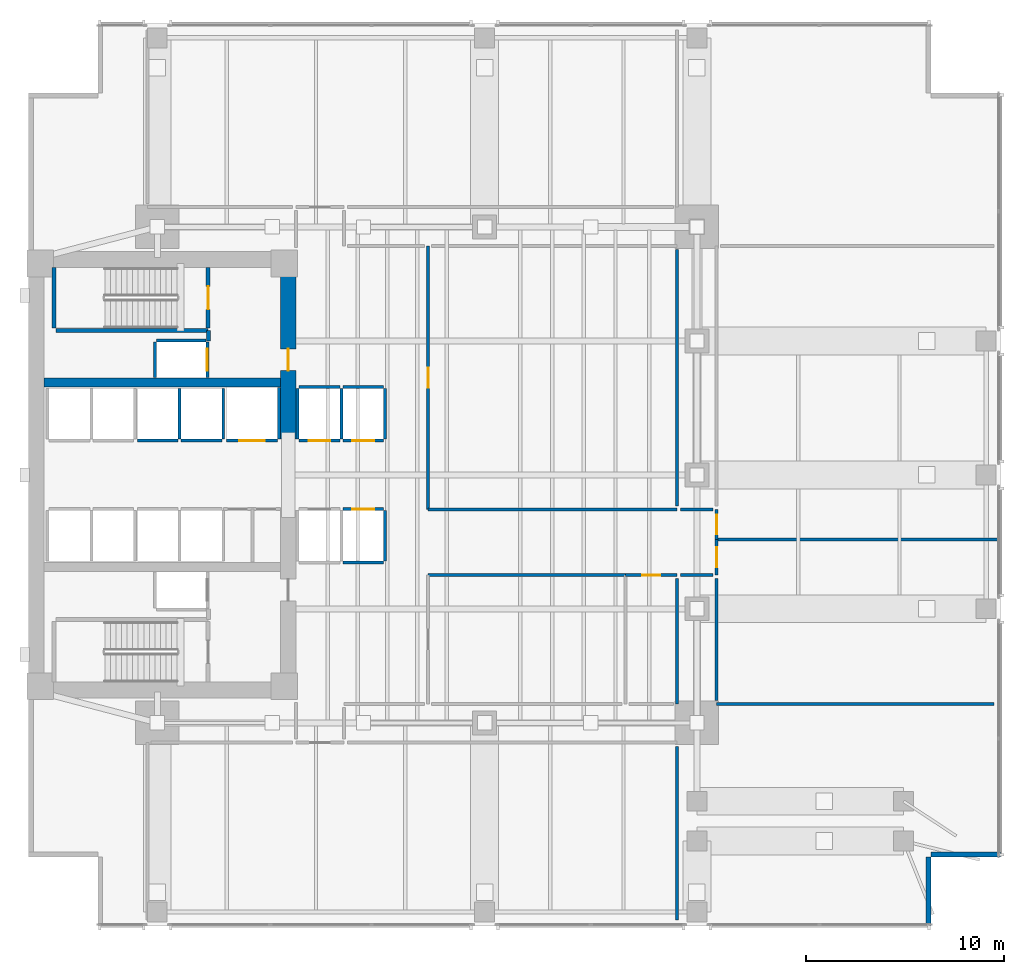
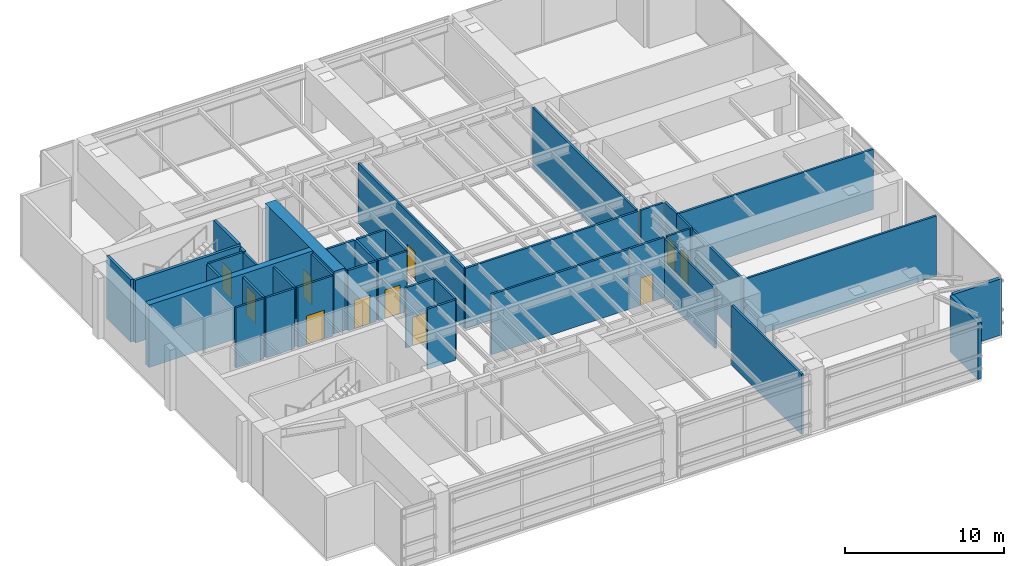
# One storey, part 9 of 14: 41 walls, 11 doors, 11 openings.
"""IFC4 building model written with IfcOpenShell, lengths in metres."""

from ifc_helpers import new_model, si_unit, direction, frame, frame_2d, origin, place, context, subcontext, project, spatial, rectangle, extrude, material, layer, layer_set, type_object, element, fill, save


model = new_model("IFC4")

# Units and contexts
model_context = context("Model", 3, precision=1e-05, world=origin(), true_north=direction((0.0, 1.0)))
body_context = subcontext(model_context, "Body", "Model", "MODEL_VIEW")
ifc_project = project(units=[si_unit("LENGTHUNIT", "METRE"), si_unit("AREAUNIT", "SQUARE_METRE"), si_unit("VOLUMEUNIT", "CUBIC_METRE"), si_unit("PLANEANGLEUNIT", "RADIAN"), si_unit("MASSUNIT", "GRAM", prefix="KILO")], contexts=[model_context])

# Site, building, storey
site_placement = place(None, origin())
site = spatial("IfcSite", under=ifc_project, at=site_placement, CompositionType="ELEMENT")
building_placement = place(site_placement, origin())
building = spatial("IfcBuilding", under=site, at=building_placement, Name="Kinhvarn Gate Tower", CompositionType="ELEMENT")
storey_placement = place(building_placement, frame((0.0, 0.0, 93.050048828125)))
storey = spatial("IfcBuildingStorey", under=building, at=storey_placement, Name="L24", CompositionType="ELEMENT", Elevation=93.050048828125)

# Wall
ifc_material_1 = material(Name="Concrete C50/60", Category="concrete")
ifc_layer_1 = layer(ifc_material_1, 0.449951171875)
ifc_layer_set_1 = layer_set([ifc_layer_1], Name="Concrete C50/60")
wall_type_1 = type_object("IfcWallType", Name="WL-CORE-450", PredefinedType="SHEAR", material=ifc_layer_set_1)
wall_1_placement = place(storey_placement, frame((5.300048828125, 29.89990234375, 0.0), z_axis=(0.0, 0.0, 1.0), x_axis=(1.0, 0.0, 0.0)))
element("IfcWall", 1, at=wall_1_placement, inside=storey, type_object=wall_type_1, Name="Core North Spine Shear Wall L24 450 mm", PredefinedType="SHEAR", context=body_context, shape_type="SweptSolid", body=[
    extrude(rectangle(XDim=11.89990234375, YDim=0.449951171875, at=frame_2d((5.949951171875, 0.0))), origin(), (0.0, 0.0, 1.0), 4.800048828125),
])

# Wall, opening, door
ifc_material_2 = material(Name="Concrete C70/85", Category="concrete")
ifc_layer_2 = layer(ifc_material_2, 0.800048828125)
ifc_layer_set_2 = layer_set([ifc_layer_2], Name="Concrete C70/85")
wall_type_2 = type_object("IfcWallType", Name="WL-CORE-800", PredefinedType="SHEAR", material=ifc_layer_set_2)
wall_2_placement = place(storey_placement, frame((17.60009765625, 27.050048828125, 0.0), z_axis=(0.0, 0.0, 1.0), x_axis=(0.0, 1.0, 0.0)))
wall_2 = element("IfcWall", 2, at=wall_2_placement, inside=storey, type_object=wall_type_2, Name="Core East-North Shear Pier L24 800 mm", PredefinedType="SHEAR", context=body_context, shape_type="SweptSolid", body=[
    extrude(rectangle(XDim=8.64990234375, YDim=0.800048828125, at=frame_2d((4.324951171875, 0.0))), origin(), (0.0, 0.0, 1.0), 4.800048828125),
])
opening_1_placement = place(wall_2_placement, frame((3.449951171875, 0.0, 0.0)))
opening_1 = element("IfcOpeningElement", 3, at=opening_1_placement, cuts=wall_2, Name="Opening FD-02", PredefinedType="OPENING", context=body_context, shape_type="SweptSolid", body=[
    extrude(rectangle(XDim=1.10009765625, YDim=2.14990234375, at=frame_2d((0.550048828125, 1.074951171875))), frame((0.0, 0.41015625, 0.0), z_axis=(0.0, -1.0, 0.0), x_axis=(1.0, 0.0, 0.0)), (0.0, 0.0, 1.0), 0.820068359375),
])
ifc_material_3 = material(Name="Anodised aluminium AW-6063", Category="aluminium")
door_type_1 = type_object("IfcDoorType", Name="DR-FD-1100", OperationType="NOTDEFINED", PredefinedType="DOOR", material=ifc_material_3)
door_1_placement = place(opening_1_placement, origin())
door_1 = element("IfcDoor", 4, at=door_1_placement, inside=storey, type_object=door_type_1, Name="Firefighting Lobby Core Door (L24)", OperationType="SINGLE_SWING_LEFT", OverallHeight=2.14990234375, OverallWidth=1.10009765625, PredefinedType="DOOR", context=body_context, shape_type="SweptSolid", body=[
    extrude(rectangle(XDim=1.10009765625, YDim=2.14990234375, at=frame_2d((0.550048828125, 1.074951171875))), frame((0.0, 0.02490234375, 0.0), z_axis=(0.0, -1.0, 0.0), x_axis=(1.0, 0.0, 0.0)), (0.0, 0.0, 1.0), 0.050048828125),
])
fill(opening_1, door_1)

# Walls
ifc_material_4 = material(Name="Fired architectural terracotta", Category="masonry")
ifc_layer_3 = layer(ifc_material_4, 0.25)
ifc_layer_set_3 = layer_set([ifc_layer_3], Name="Fired architectural terracotta")
wall_type_3 = type_object("IfcWallType", Name="WL-EXT-250", PredefinedType="SOLIDWALL", material=ifc_layer_set_3)
for number, where, z_axis, x_axis, name in (
    (5, (49.875, 2.5, 0.0), (0.0, 0.0, 1.0), (0.0, 1.0, 0.0), "Exterior Solidwall Wall EW-250 (L24 SE-Notch-1)"),
    (6, (50.0, 6.125, 0.0), (0.0, 0.0, 1.0), (1.0, 0.0, 0.0), "Exterior Solidwall Wall EW-250 (L24 SE-Notch-2)"),
):
    element("IfcWall", number, at=place(storey_placement, frame(where, z_axis=z_axis, x_axis=x_axis)), inside=storey, type_object=wall_type_3, Name=name, PredefinedType="SOLIDWALL", context=body_context, shape_type="SweptSolid", body=[
        extrude(rectangle(XDim=3.5, YDim=0.25, at=frame_2d((1.75, 0.0))), origin(), (0.0, 0.0, 1.0), 4.320068359375),
    ])

# Wall, opening, door
ifc_material_5 = material(Name="Gypsum acoustic partition board")
ifc_layer_4 = layer(ifc_material_5, 0.14990234375)
ifc_layer_set_4 = layer_set([ifc_layer_4], Name="Gypsum acoustic partition board")
wall_type_4 = type_object("IfcWallType", Name="WL-PLM-150F", PredefinedType="PLUMBINGWALL", material=ifc_layer_set_4)
wall_3_placement = place(storey_placement, frame((34.60009765625, 20.199951171875, 0.0), z_axis=(0.0, 0.0, 1.0), x_axis=(1.0, 0.0, 0.0)))
wall_3 = element("IfcWall", 7, at=wall_3_placement, inside=storey, type_object=wall_type_4, Name="Interior Partition PLW-150F (L24)", PredefinedType="PLUMBINGWALL", context=body_context, shape_type="SweptSolid", body=[
    extrude(rectangle(XDim=2.599853515625, YDim=0.14990234375, at=frame_2d((1.2998046875, 0.0))), origin(), (0.0, 0.0, 1.0), 4.619873046875),
])
opening_2_placement = place(wall_3_placement, frame((0.85009765625, 0.0, 0.0)))
opening_2 = element("IfcOpeningElement", 8, at=opening_2_placement, cuts=wall_3, Name="Opening FD-04", PredefinedType="OPENING", context=body_context, shape_type="SweptSolid", body=[
    extrude(rectangle(XDim=0.89990234375, YDim=2.10009765625, at=frame_2d((0.449951171875, 1.050048828125))), frame((0.0, 0.0849609375, 0.0), z_axis=(0.0, -1.0, 0.0), x_axis=(1.0, 0.0, 0.0)), (0.0, 0.0, 1.0), 0.169921875),
])
door_type_2 = type_object("IfcDoorType", Name="DR-FD-900", OperationType="NOTDEFINED", PredefinedType="DOOR", material=ifc_material_3)
door_2_placement = place(opening_2_placement, origin())
door_2 = element("IfcDoor", 9, at=door_2_placement, inside=storey, type_object=door_type_2, Name="Rated Riser & Service Closet Fire Door 900x2100 mm (L24)", OperationType="SINGLE_SWING_LEFT", OverallHeight=2.10009765625, OverallWidth=0.89990234375, PredefinedType="DOOR", context=body_context, shape_type="SweptSolid", body=[
    extrude(rectangle(XDim=0.89990234375, YDim=2.10009765625, at=frame_2d((0.449951171875, 1.050048828125))), frame((0.0, 0.02490234375, 0.0), z_axis=(0.0, -1.0, 0.0), x_axis=(1.0, 0.0, 0.0)), (0.0, 0.0, 1.0), 0.050048828125),
])
fill(opening_2, door_2)

ifc_layer_5 = layer(ifc_material_5, 0.14990234375)
ifc_layer_set_5 = layer_set([ifc_layer_5], Name="Gypsum acoustic partition board")
wall_type_5 = type_object("IfcWallType", Name="WL-PRT-150F", PredefinedType="PARTITIONING", material=ifc_layer_set_5)
wall_4_placement = place(storey_placement, frame((24.64990234375, 23.5, 0.0), z_axis=(0.0, 0.0, 1.0), x_axis=(0.0, 1.0, 0.0)))
wall_4 = element("IfcWall", 10, at=wall_4_placement, inside=storey, type_object=wall_type_5, Name="Interior Partition PW-150F (L24)", PredefinedType="PARTITIONING", context=body_context, shape_type="SweptSolid", body=[
    extrude(rectangle(XDim=13.300048828125, YDim=0.14990234375, at=frame_2d((6.64990234375, 0.0))), origin(), (0.0, 0.0, 1.0), 4.619873046875),
])
opening_3_placement = place(wall_4_placement, frame((6.14990234375, 0.0, 0.0)))
opening_3 = element("IfcOpeningElement", 11, at=opening_3_placement, cuts=wall_4, Name="Opening FD-03", PredefinedType="OPENING", context=body_context, shape_type="SweptSolid", body=[
    extrude(rectangle(XDim=1.0, YDim=2.14990234375, at=frame_2d((0.5, 1.074951171875))), frame((0.0, 0.0849609375, 0.0), z_axis=(0.0, -1.0, 0.0), x_axis=(1.0, 0.0, 0.0)), (0.0, 0.0, 1.0), 0.169921875),
])
door_type_3 = type_object("IfcDoorType", Name="DR-FD-1000", OperationType="NOTDEFINED", PredefinedType="DOOR", material=ifc_material_3)
door_3_placement = place(opening_3_placement, origin())
door_3 = element("IfcDoor", 12, at=door_3_placement, inside=storey, type_object=door_type_3, Name="Rated Plant & Corridor Fire Door 1000x2150 mm (L24)", OperationType="SINGLE_SWING_RIGHT", OverallHeight=2.14990234375, OverallWidth=1.0, PredefinedType="DOOR", context=body_context, shape_type="SweptSolid", body=[
    extrude(rectangle(XDim=1.0, YDim=2.14990234375, at=frame_2d((0.5, 1.074951171875))), frame((0.0, 0.02490234375, 0.0), z_axis=(0.0, -1.0, 0.0), x_axis=(1.0, 0.0, 0.0)), (0.0, 0.0, 1.0), 0.050048828125),
])
fill(opening_3, door_3)

# Walls
wall_5_placement = place(storey_placement, frame((24.64990234375, 20.199951171875, 0.0), z_axis=(0.0, 0.0, 1.0), x_axis=(1.0, 0.0, 0.0)))
element("IfcWall", 13, at=wall_5_placement, inside=storey, type_object=wall_type_5, Name="Interior Partition PW-150F (L24)", PredefinedType="PARTITIONING", context=body_context, shape_type="SweptSolid", body=[
    extrude(rectangle(XDim=9.9501953125, YDim=0.14990234375, at=frame_2d((4.97509765625, 0.0))), origin(), (0.0, 0.0, 1.0), 4.619873046875),
])
wall_6_placement = place(storey_placement, frame((24.64990234375, 23.5, 0.0), z_axis=(0.0, 0.0, 1.0), x_axis=(1.0, 0.0, 0.0)))
element("IfcWall", 14, at=wall_6_placement, inside=storey, type_object=wall_type_5, Name="Interior Partition PW-150F (L24)", PredefinedType="PARTITIONING", context=body_context, shape_type="SweptSolid", body=[
    extrude(rectangle(XDim=12.550048828125, YDim=0.14990234375, at=frame_2d((6.27490234375, 0.0))), origin(), (0.0, 0.0, 1.0), 4.619873046875),
])

# Wall, opening, door
wall_7_placement = place(storey_placement, frame((39.199951171875, 20.199951171875, 0.0), z_axis=(0.0, 0.0, 1.0), x_axis=(0.0, 1.0, 0.0)))
wall_7 = element("IfcWall", 15, at=wall_7_placement, inside=storey, type_object=wall_type_5, Name="Interior Partition PW-150F (L24)", PredefinedType="PARTITIONING", context=body_context, shape_type="SweptSolid", body=[
    extrude(rectangle(XDim=1.800048828125, YDim=0.14990234375, at=frame_2d((0.89990234375, 0.0))), origin(), (0.0, 0.0, 1.0), 4.619873046875),
])
opening_4_placement = place(wall_7_placement, frame((0.39990234375, 0.0, 0.0)))
opening_4 = element("IfcOpeningElement", 16, at=opening_4_placement, cuts=wall_7, Name="Opening FD-03", PredefinedType="OPENING", context=body_context, shape_type="SweptSolid", body=[
    extrude(rectangle(XDim=1.0, YDim=2.14990234375, at=frame_2d((0.5, 1.074951171875))), frame((0.0, 0.0849609375, 0.0), z_axis=(0.0, -1.0, 0.0), x_axis=(1.0, 0.0, 0.0)), (0.0, 0.0, 1.0), 0.169921875),
])
door_4_placement = place(opening_4_placement, origin())
door_4 = element("IfcDoor", 17, at=door_4_placement, inside=storey, type_object=door_type_3, Name="Rated Plant & Corridor Fire Door 1000x2150 mm (L24)", OperationType="SINGLE_SWING_RIGHT", OverallHeight=2.14990234375, OverallWidth=1.0, PredefinedType="DOOR", context=body_context, shape_type="SweptSolid", body=[
    extrude(rectangle(XDim=1.0, YDim=2.14990234375, at=frame_2d((0.5, 1.074951171875))), frame((0.0, 0.02490234375, 0.0), z_axis=(0.0, -1.0, 0.0), x_axis=(1.0, 0.0, 0.0)), (0.0, 0.0, 1.0), 0.050048828125),
])
fill(opening_4, door_4)

wall_8_placement = place(storey_placement, frame((39.199951171875, 22.0, 0.0), z_axis=(0.0, 0.0, 1.0), x_axis=(0.0, 1.0, 0.0)))
wall_8 = element("IfcWall", 18, at=wall_8_placement, inside=storey, type_object=wall_type_5, Name="Interior Partition PW-150F (L24)", PredefinedType="PARTITIONING", context=body_context, shape_type="SweptSolid", body=[
    extrude(rectangle(XDim=1.5, YDim=0.14990234375, at=frame_2d((0.75, 0.0))), origin(), (0.0, 0.0, 1.0), 4.619873046875),
])
opening_5_placement = place(wall_8_placement, frame((0.25, 0.0, 0.0)))
opening_5 = element("IfcOpeningElement", 19, at=opening_5_placement, cuts=wall_8, Name="Opening FD-03", PredefinedType="OPENING", context=body_context, shape_type="SweptSolid", body=[
    extrude(rectangle(XDim=1.0, YDim=2.14990234375, at=frame_2d((0.5, 1.074951171875))), frame((0.0, 0.0849609375, 0.0), z_axis=(0.0, -1.0, 0.0), x_axis=(1.0, 0.0, 0.0)), (0.0, 0.0, 1.0), 0.169921875),
])
door_5_placement = place(opening_5_placement, origin())
door_5 = element("IfcDoor", 20, at=door_5_placement, inside=storey, type_object=door_type_3, Name="Rated Plant & Corridor Fire Door 1000x2150 mm (L24)", OperationType="SINGLE_SWING_LEFT", OverallHeight=2.14990234375, OverallWidth=1.0, PredefinedType="DOOR", context=body_context, shape_type="SweptSolid", body=[
    extrude(rectangle(XDim=1.0, YDim=2.14990234375, at=frame_2d((0.5, 1.074951171875))), frame((0.0, 0.02490234375, 0.0), z_axis=(0.0, -1.0, 0.0), x_axis=(1.0, 0.0, 0.0)), (0.0, 0.0, 1.0), 0.050048828125),
])
fill(opening_5, door_5)

# Walls
wall_9_placement = place(storey_placement, frame((39.199951171875, 22.0, 0.0), z_axis=(0.0, 0.0, 1.0), x_axis=(1.0, 0.0, 0.0)))
element("IfcWall", 21, at=wall_9_placement, inside=storey, type_object=wall_type_5, Name="Interior Partition PW-150F (L24)", PredefinedType="PARTITIONING", context=body_context, shape_type="SweptSolid", body=[
    extrude(rectangle(XDim=14.179931640625, YDim=0.14990234375, at=frame_2d((7.08984375, 0.0))), origin(), (0.0, 0.0, 1.0), 4.619873046875),
])
wall_10_placement = place(storey_placement, frame((37.199951171875, 36.6201171875, 0.0), z_axis=(0.0, 0.0, 1.0), x_axis=(0.0, -1.0, 0.0)))
element("IfcWall", 22, at=wall_10_placement, inside=storey, type_object=wall_type_5, Name="Interior Partition PW-150F (L24)", PredefinedType="PARTITIONING", context=body_context, shape_type="SweptSolid", body=[
    extrude(rectangle(XDim=12.940185546875, YDim=0.14990234375, at=frame_2d((6.47021484375, 0.0))), origin(), (0.0, 0.0, 1.0), 4.619873046875),
])
wall_11_placement = place(storey_placement, frame((37.3798828125, 23.5, 0.0), z_axis=(0.0, 0.0, 1.0), x_axis=(1.0, 0.0, 0.0)))
element("IfcWall", 23, at=wall_11_placement, inside=storey, type_object=wall_type_5, Name="Interior Partition PW-150F (L24)", PredefinedType="PARTITIONING", context=body_context, shape_type="SweptSolid", body=[
    extrude(rectangle(XDim=1.64013671875, YDim=0.14990234375, at=frame_2d((0.820068359375, 0.0))), origin(), (0.0, 0.0, 1.0), 4.619873046875),
])
wall_12_placement = place(storey_placement, frame((53.179931640625, 13.699951171875, 0.0), z_axis=(0.0, 0.0, 1.0), x_axis=(-1.0, 0.0, 0.0)))
element("IfcWall", 24, at=wall_12_placement, inside=storey, type_object=wall_type_5, Name="Interior Partition PW-150F (L24)", PredefinedType="PARTITIONING", context=body_context, shape_type="SweptSolid", body=[
    extrude(rectangle(XDim=13.97998046875, YDim=0.14990234375, at=frame_2d((6.989990234375, 0.0))), origin(), (0.0, 0.0, 1.0), 4.619873046875),
])
wall_13_placement = place(storey_placement, frame((39.199951171875, 13.8798828125, 0.0), z_axis=(0.0, 0.0, 1.0), x_axis=(0.0, 1.0, 0.0)))
element("IfcWall", 25, at=wall_13_placement, inside=storey, type_object=wall_type_5, Name="Interior Partition PW-150F (L24)", PredefinedType="PARTITIONING", context=body_context, shape_type="SweptSolid", body=[
    extrude(rectangle(XDim=6.14013671875, YDim=0.14990234375, at=frame_2d((3.070068359375, 0.0))), origin(), (0.0, 0.0, 1.0), 4.619873046875),
])
wall_14_placement = place(storey_placement, frame((39.02001953125, 20.199951171875, 0.0), z_axis=(0.0, 0.0, 1.0), x_axis=(-1.0, 0.0, 0.0)))
element("IfcWall", 26, at=wall_14_placement, inside=storey, type_object=wall_type_5, Name="Interior Partition PW-150F (L24)", PredefinedType="PARTITIONING", context=body_context, shape_type="SweptSolid", body=[
    extrude(rectangle(XDim=1.64013671875, YDim=0.14990234375, at=frame_2d((0.820068359375, 0.0))), origin(), (0.0, 0.0, 1.0), 4.619873046875),
])
wall_15_placement = place(storey_placement, frame((37.199951171875, 20.02001953125, 0.0), z_axis=(0.0, 0.0, 1.0), x_axis=(0.0, -1.0, 0.0)))
element("IfcWall", 27, at=wall_15_placement, inside=storey, type_object=wall_type_5, Name="Interior Partition PW-150F (L24)", PredefinedType="PARTITIONING", context=body_context, shape_type="SweptSolid", body=[
    extrude(rectangle(XDim=6.320068359375, YDim=0.14990234375, at=frame_2d((3.16015625, 0.0))), origin(), (0.0, 0.0, 1.0), 4.619873046875),
])
wall_16_placement = place(storey_placement, frame((37.199951171875, 11.570068359375, 0.0), z_axis=(0.0, 0.0, 1.0), x_axis=(0.0, -1.0, 0.0)))
element("IfcWall", 28, at=wall_16_placement, inside=storey, type_object=wall_type_5, Name="Interior Partition PW-150F (L24)", PredefinedType="PARTITIONING", context=body_context, shape_type="SweptSolid", body=[
    extrude(rectangle(XDim=8.75, YDim=0.14990234375, at=frame_2d((4.375, 0.0))), origin(), (0.0, 0.0, 1.0), 4.619873046875),
])
ifc_layer_6 = layer(ifc_material_5, 0.199951171875)
ifc_layer_set_6 = layer_set([ifc_layer_6], Name="Gypsum acoustic partition board")
wall_type_6 = type_object("IfcWallType", Name="WL-PRT-200", PredefinedType="PARTITIONING", material=ifc_layer_set_6)
wall_17_placement = place(storey_placement, frame((13.580078125, 32.0, 0.0), z_axis=(0.0, 0.0, 1.0), x_axis=(0.0, 1.0, 0.0)))
element("IfcWall", 29, at=wall_17_placement, inside=storey, type_object=wall_type_6, Name="Interior Partition PW-200 (L24)", PredefinedType="PARTITIONING", context=body_context, shape_type="SweptSolid", body=[
    extrude(rectangle(XDim=0.5400390625, YDim=0.199951171875, at=frame_2d((0.27001953125, 0.0))), origin(), (0.0, 0.0, 1.0), 4.619873046875),
])
ifc_layer_7 = layer(ifc_material_5, 0.14990234375)
ifc_layer_set_7 = layer_set([ifc_layer_7], Name="Gypsum acoustic partition board")
wall_type_7 = type_object("IfcWallType", Name="WL-SHF-150", PredefinedType="PARTITIONING", material=ifc_layer_set_7)
wall_18_placement = place(storey_placement, frame((20.35009765625, 20.824951171875, 0.0), z_axis=(0.0, 0.0, 1.0), x_axis=(1.0, 0.0, 0.0)))
element("IfcWall", 30, at=wall_18_placement, inside=storey, type_object=wall_type_7, Name="Elevator PL-02 Hoistway Wall S (L24)", PredefinedType="PARTITIONING", context=body_context, shape_type="SweptSolid", body=[
    extrude(rectangle(XDim=2.0498046875, YDim=0.14990234375, at=frame_2d((1.02490234375, 0.0))), origin(), (0.0, 0.0, 1.0), 4.619873046875),
])

# Wall, opening, door
wall_19_placement = place(storey_placement, frame((20.35009765625, 23.52490234375, 0.0), z_axis=(0.0, 0.0, 1.0), x_axis=(1.0, 0.0, 0.0)))
wall_19 = element("IfcWall", 31, at=wall_19_placement, inside=storey, type_object=wall_type_7, Name="Elevator PL-02 Landing Wall (L24)", PredefinedType="PARTITIONING", context=body_context, shape_type="SweptSolid", body=[
    extrude(rectangle(XDim=2.0498046875, YDim=0.14990234375, at=frame_2d((1.02490234375, 0.0))), origin(), (0.0, 0.0, 1.0), 4.619873046875),
])
opening_6_placement = place(wall_19_placement, frame((0.47509765625, 0.0, 0.0)))
opening_6 = element("IfcOpeningElement", 32, at=opening_6_placement, cuts=wall_19, Name="Opening LD-01", PredefinedType="OPENING", context=body_context, shape_type="SweptSolid", body=[
    extrude(rectangle(XDim=1.10009765625, YDim=2.199951171875, at=frame_2d((0.550048828125, 1.10009765625))), frame((0.0, 0.0849609375, 0.0), z_axis=(0.0, -1.0, 0.0), x_axis=(1.0, 0.0, 0.0)), (0.0, 0.0, 1.0), 0.169921875),
])
door_type_4 = type_object("IfcDoorType", Name="DR-LND-PAS", OperationType="NOTDEFINED", PredefinedType="DOOR", material=ifc_material_3)
door_6_placement = place(opening_6_placement, origin())
door_6 = element("IfcDoor", 33, at=door_6_placement, inside=storey, type_object=door_type_4, Name="Elevator PL-02 Sliding Landing Door (L24)", OperationType="DOUBLE_DOOR_SLIDING", OverallHeight=2.199951171875, OverallWidth=1.10009765625, PredefinedType="DOOR", context=body_context, shape_type="SweptSolid", body=[
    extrude(rectangle(XDim=1.10009765625, YDim=2.199951171875, at=frame_2d((0.550048828125, 1.10009765625))), frame((0.0, 0.02490234375, 0.0), z_axis=(0.0, -1.0, 0.0), x_axis=(1.0, 0.0, 0.0)), (0.0, 0.0, 1.0), 0.050048828125),
])
fill(opening_6, door_6)

# Wall
wall_20_placement = place(storey_placement, frame((22.47509765625, 20.89990234375, 0.0), z_axis=(0.0, 0.0, 1.0), x_axis=(0.0, 1.0, 0.0)))
element("IfcWall", 34, at=wall_20_placement, inside=storey, type_object=wall_type_7, Name="Elevator PL-02 Hoistway Wall E (L24)", PredefinedType="PARTITIONING", context=body_context, shape_type="SweptSolid", body=[
    extrude(rectangle(XDim=2.550048828125, YDim=0.14990234375, at=frame_2d((1.27490234375, 0.0))), origin(), (0.0, 0.0, 1.0), 4.619873046875),
])

# Wall, opening, door
wall_21_placement = place(storey_placement, frame((18.14990234375, 26.97509765625, 0.0), z_axis=(0.0, 0.0, 1.0), x_axis=(1.0, 0.0, 0.0)))
wall_21 = element("IfcWall", 35, at=wall_21_placement, inside=storey, type_object=wall_type_7, Name="Elevator PL-03 Landing Wall (L24)", PredefinedType="PARTITIONING", context=body_context, shape_type="SweptSolid", body=[
    extrude(rectangle(XDim=2.050048828125, YDim=0.14990234375, at=frame_2d((1.02490234375, 0.0))), origin(), (0.0, 0.0, 1.0), 4.619873046875),
])
opening_7_placement = place(wall_21_placement, frame((0.47509765625, 0.0, 0.0)))
opening_7 = element("IfcOpeningElement", 36, at=opening_7_placement, cuts=wall_21, Name="Opening LD-01", PredefinedType="OPENING", context=body_context, shape_type="SweptSolid", body=[
    extrude(rectangle(XDim=1.10009765625, YDim=2.199951171875, at=frame_2d((0.550048828125, 1.10009765625))), frame((0.0, 0.0849609375, 0.0), z_axis=(0.0, -1.0, 0.0), x_axis=(1.0, 0.0, 0.0)), (0.0, 0.0, 1.0), 0.169921875),
])
door_7_placement = place(opening_7_placement, origin())
door_7 = element("IfcDoor", 37, at=door_7_placement, inside=storey, type_object=door_type_4, Name="Elevator PL-03 Sliding Landing Door (L24)", OperationType="DOUBLE_DOOR_SLIDING", OverallHeight=2.199951171875, OverallWidth=1.10009765625, PredefinedType="DOOR", context=body_context, shape_type="SweptSolid", body=[
    extrude(rectangle(XDim=1.10009765625, YDim=2.199951171875, at=frame_2d((0.550048828125, 1.10009765625))), frame((0.0, 0.02490234375, 0.0), z_axis=(0.0, -1.0, 0.0), x_axis=(1.0, 0.0, 0.0)), (0.0, 0.0, 1.0), 0.050048828125),
])
fill(opening_7, door_7)

# Walls
wall_22_placement = place(storey_placement, frame((18.14990234375, 29.675048828125, 0.0), z_axis=(0.0, 0.0, 1.0), x_axis=(1.0, 0.0, 0.0)))
element("IfcWall", 38, at=wall_22_placement, inside=storey, type_object=wall_type_7, Name="Elevator PL-03 Hoistway Wall N (L24)", PredefinedType="PARTITIONING", context=body_context, shape_type="SweptSolid", body=[
    extrude(rectangle(XDim=2.050048828125, YDim=0.14990234375, at=frame_2d((1.02490234375, 0.0))), origin(), (0.0, 0.0, 1.0), 4.619873046875),
])
for number, where, z_axis, x_axis, name in (
    (39, (18.074951171875, 27.050048828125, 0.0), (0.0, 0.0, 1.0), (0.0, 1.0, 0.0), "Elevator PL-03 Hoistway Wall W (L24)"),
    (40, (20.27490234375, 27.050048828125, 0.0), (0.0, 0.0, 1.0), (0.0, 1.0, 0.0), "Elevator PL-03 Hoistway Wall E (L24)"),
):
    element("IfcWall", number, at=place(storey_placement, frame(where, z_axis=z_axis, x_axis=x_axis)), inside=storey, type_object=wall_type_7, Name=name, PredefinedType="PARTITIONING", context=body_context, shape_type="SweptSolid", body=[
        extrude(rectangle(XDim=2.550048828125, YDim=0.14990234375, at=frame_2d((1.27490234375, 0.0))), origin(), (0.0, 0.0, 1.0), 4.619873046875),
    ])

# Wall, opening, door
wall_23_placement = place(storey_placement, frame((20.35009765625, 26.97509765625, 0.0), z_axis=(0.0, 0.0, 1.0), x_axis=(1.0, 0.0, 0.0)))
wall_23 = element("IfcWall", 41, at=wall_23_placement, inside=storey, type_object=wall_type_7, Name="Elevator PL-04 Landing Wall (L24)", PredefinedType="PARTITIONING", context=body_context, shape_type="SweptSolid", body=[
    extrude(rectangle(XDim=2.0498046875, YDim=0.14990234375, at=frame_2d((1.02490234375, 0.0))), origin(), (0.0, 0.0, 1.0), 4.619873046875),
])
opening_8_placement = place(wall_23_placement, frame((0.47509765625, 0.0, 0.0)))
opening_8 = element("IfcOpeningElement", 42, at=opening_8_placement, cuts=wall_23, Name="Opening LD-01", PredefinedType="OPENING", context=body_context, shape_type="SweptSolid", body=[
    extrude(rectangle(XDim=1.10009765625, YDim=2.199951171875, at=frame_2d((0.550048828125, 1.10009765625))), frame((0.0, 0.0849609375, 0.0), z_axis=(0.0, -1.0, 0.0), x_axis=(1.0, 0.0, 0.0)), (0.0, 0.0, 1.0), 0.169921875),
])
door_8_placement = place(opening_8_placement, origin())
door_8 = element("IfcDoor", 43, at=door_8_placement, inside=storey, type_object=door_type_4, Name="Elevator PL-04 Sliding Landing Door (L24)", OperationType="DOUBLE_DOOR_SLIDING", OverallHeight=2.199951171875, OverallWidth=1.10009765625, PredefinedType="DOOR", context=body_context, shape_type="SweptSolid", body=[
    extrude(rectangle(XDim=1.10009765625, YDim=2.199951171875, at=frame_2d((0.550048828125, 1.10009765625))), frame((0.0, 0.02490234375, 0.0), z_axis=(0.0, -1.0, 0.0), x_axis=(1.0, 0.0, 0.0)), (0.0, 0.0, 1.0), 0.050048828125),
])
fill(opening_8, door_8)

# Walls
wall_24_placement = place(storey_placement, frame((20.35009765625, 29.675048828125, 0.0), z_axis=(0.0, 0.0, 1.0), x_axis=(1.0, 0.0, 0.0)))
element("IfcWall", 44, at=wall_24_placement, inside=storey, type_object=wall_type_7, Name="Elevator PL-04 Hoistway Wall N (L24)", PredefinedType="PARTITIONING", context=body_context, shape_type="SweptSolid", body=[
    extrude(rectangle(XDim=2.0498046875, YDim=0.14990234375, at=frame_2d((1.02490234375, 0.0))), origin(), (0.0, 0.0, 1.0), 4.619873046875),
])
wall_25_placement = place(storey_placement, frame((22.47509765625, 27.050048828125, 0.0), z_axis=(0.0, 0.0, 1.0), x_axis=(0.0, 1.0, 0.0)))
element("IfcWall", 45, at=wall_25_placement, inside=storey, type_object=wall_type_7, Name="Elevator PL-04 Hoistway Wall E (L24)", PredefinedType="PARTITIONING", context=body_context, shape_type="SweptSolid", body=[
    extrude(rectangle(XDim=2.550048828125, YDim=0.14990234375, at=frame_2d((1.27490234375, 0.0))), origin(), (0.0, 0.0, 1.0), 4.619873046875),
])
wall_26_placement = place(storey_placement, frame((10.0, 26.97509765625, 0.0), z_axis=(0.0, 0.0, 1.0), x_axis=(1.0, 0.0, 0.0)))
element("IfcWall", 46, at=wall_26_placement, inside=storey, type_object=wall_type_7, Name="Elevator PH-11 Landing Wall (L24)", PredefinedType="PARTITIONING", context=body_context, shape_type="SweptSolid", body=[
    extrude(rectangle(XDim=2.050048828125, YDim=0.14990234375, at=frame_2d((1.02490234375, 0.0))), origin(), (0.0, 0.0, 1.0), 4.619873046875),
])
wall_27_placement = place(storey_placement, frame((12.125, 27.050048828125, 0.0), z_axis=(0.0, 0.0, 1.0), x_axis=(0.0, 1.0, 0.0)))
element("IfcWall", 47, at=wall_27_placement, inside=storey, type_object=wall_type_7, Name="Elevator PH-11 Hoistway Wall E (L24)", PredefinedType="PARTITIONING", context=body_context, shape_type="SweptSolid", body=[
    extrude(rectangle(XDim=2.550048828125, YDim=0.14990234375, at=frame_2d((1.27490234375, 0.0))), origin(), (0.0, 0.0, 1.0), 4.619873046875),
])
wall_28_placement = place(storey_placement, frame((12.199951171875, 26.97509765625, 0.0), z_axis=(0.0, 0.0, 1.0), x_axis=(1.0, 0.0, 0.0)))
element("IfcWall", 48, at=wall_28_placement, inside=storey, type_object=wall_type_7, Name="Elevator PH-12 Landing Wall (L24)", PredefinedType="PARTITIONING", context=body_context, shape_type="SweptSolid", body=[
    extrude(rectangle(XDim=2.050048828125, YDim=0.14990234375, at=frame_2d((1.02490234375, 0.0))), origin(), (0.0, 0.0, 1.0), 4.619873046875),
])
wall_29_placement = place(storey_placement, frame((14.324951171875, 27.050048828125, 0.0), z_axis=(0.0, 0.0, 1.0), x_axis=(0.0, 1.0, 0.0)))
element("IfcWall", 49, at=wall_29_placement, inside=storey, type_object=wall_type_7, Name="Elevator PH-12 Hoistway Wall E (L24)", PredefinedType="PARTITIONING", context=body_context, shape_type="SweptSolid", body=[
    extrude(rectangle(XDim=2.550048828125, YDim=0.14990234375, at=frame_2d((1.27490234375, 0.0))), origin(), (0.0, 0.0, 1.0), 4.619873046875),
])

# Wall, opening, door
wall_30_placement = place(storey_placement, frame((14.5, 26.97509765625, 0.0), z_axis=(0.0, 0.0, 1.0), x_axis=(1.0, 0.0, 0.0)))
wall_30 = element("IfcWall", 50, at=wall_30_placement, inside=storey, type_object=wall_type_7, Name="Elevator SV-01 Landing Wall (L24)", PredefinedType="PARTITIONING", context=body_context, shape_type="SweptSolid", body=[
    extrude(rectangle(XDim=2.550048828125, YDim=0.14990234375, at=frame_2d((1.27490234375, 0.0))), origin(), (0.0, 0.0, 1.0), 4.619873046875),
])
opening_9_placement = place(wall_30_placement, frame((0.625, 0.0, 0.0)))
opening_9 = element("IfcOpeningElement", 51, at=opening_9_placement, cuts=wall_30, Name="Opening LD-02", PredefinedType="OPENING", context=body_context, shape_type="SweptSolid", body=[
    extrude(rectangle(XDim=1.300048828125, YDim=2.199951171875, at=frame_2d((0.64990234375, 1.10009765625))), frame((0.0, 0.0849609375, 0.0), z_axis=(0.0, -1.0, 0.0), x_axis=(1.0, 0.0, 0.0)), (0.0, 0.0, 1.0), 0.169921875),
])
door_type_5 = type_object("IfcDoorType", Name="DR-LND-SRV", OperationType="NOTDEFINED", PredefinedType="DOOR", material=ifc_material_3)
door_9_placement = place(opening_9_placement, origin())
door_9 = element("IfcDoor", 52, at=door_9_placement, inside=storey, type_object=door_type_5, Name="Elevator SV-01 Sliding Landing Door (L24)", OperationType="DOUBLE_DOOR_SLIDING", OverallHeight=2.199951171875, OverallWidth=1.300048828125, PredefinedType="DOOR", context=body_context, shape_type="SweptSolid", body=[
    extrude(rectangle(XDim=1.300048828125, YDim=2.199951171875, at=frame_2d((0.64990234375, 1.10009765625))), frame((0.0, 0.02490234375, 0.0), z_axis=(0.0, -1.0, 0.0), x_axis=(1.0, 0.0, 0.0)), (0.0, 0.0, 1.0), 0.050048828125),
])
fill(opening_9, door_9)

# Walls
wall_31_placement = place(storey_placement, frame((17.125, 27.050048828125, 0.0), z_axis=(0.0, 0.0, 1.0), x_axis=(0.0, 1.0, 0.0)))
element("IfcWall", 53, at=wall_31_placement, inside=storey, type_object=wall_type_7, Name="Elevator SV-01 Hoistway Wall E (L24)", PredefinedType="PARTITIONING", context=body_context, shape_type="SweptSolid", body=[
    extrude(rectangle(XDim=2.599853515625, YDim=0.14990234375, at=frame_2d((1.2998046875, 0.0))), origin(), (0.0, 0.0, 1.0), 4.619873046875),
])
wall_32_placement = place(storey_placement, frame((10.949951171875, 32.02490234375, 0.0), z_axis=(0.0, 0.0, 1.0), x_axis=(1.0, 0.0, 0.0)))
element("IfcWall", 54, at=wall_32_placement, inside=storey, type_object=wall_type_7, Name="Elevator FF2 Hoistway Wall N (L24)", PredefinedType="PARTITIONING", context=body_context, shape_type="SweptSolid", body=[
    extrude(rectangle(XDim=2.5, YDim=0.14990234375, at=frame_2d((1.25, 0.0))), origin(), (0.0, 0.0, 1.0), 4.619873046875),
])
wall_33_placement = place(storey_placement, frame((10.875, 30.14990234375, 0.0), z_axis=(0.0, 0.0, 1.0), x_axis=(0.0, 1.0, 0.0)))
element("IfcWall", 55, at=wall_33_placement, inside=storey, type_object=wall_type_7, Name="Elevator FF2 Hoistway Wall W (L24)", PredefinedType="PARTITIONING", context=body_context, shape_type="SweptSolid", body=[
    extrude(rectangle(XDim=1.800048828125, YDim=0.14990234375, at=frame_2d((0.89990234375, 0.0))), origin(), (0.0, 0.0, 1.0), 4.619873046875),
])

# Wall, opening, door
wall_34_placement = place(storey_placement, frame((13.52490234375, 30.14990234375, 0.0), z_axis=(0.0, 0.0, 1.0), x_axis=(0.0, 1.0, 0.0)))
wall_34 = element("IfcWall", 56, at=wall_34_placement, inside=storey, type_object=wall_type_7, Name="Elevator FF2 Landing Wall (L24)", PredefinedType="PARTITIONING", context=body_context, shape_type="SweptSolid", body=[
    extrude(rectangle(XDim=1.800048828125, YDim=0.14990234375, at=frame_2d((0.89990234375, 0.0))), origin(), (0.0, 0.0, 1.0), 4.619873046875),
])
opening_10_placement = place(wall_34_placement, frame((0.35009765625, 0.0, 0.0)))
opening_10 = element("IfcOpeningElement", 57, at=opening_10_placement, cuts=wall_34, Name="Opening LD-03", PredefinedType="OPENING", context=body_context, shape_type="SweptSolid", body=[
    extrude(rectangle(XDim=1.10009765625, YDim=2.199951171875, at=frame_2d((0.550048828125, 1.10009765625))), frame((0.0, 0.0849609375, 0.0), z_axis=(0.0, -1.0, 0.0), x_axis=(1.0, 0.0, 0.0)), (0.0, 0.0, 1.0), 0.169921875),
])
door_type_6 = type_object("IfcDoorType", Name="DR-LND-FF", OperationType="NOTDEFINED", PredefinedType="DOOR", material=ifc_material_3)
door_10_placement = place(opening_10_placement, origin())
door_10 = element("IfcDoor", 58, at=door_10_placement, inside=storey, type_object=door_type_6, Name="Elevator FF2 Sliding Landing Door (L24)", OperationType="DOUBLE_DOOR_SLIDING", OverallHeight=2.199951171875, OverallWidth=1.10009765625, PredefinedType="DOOR", context=body_context, shape_type="SweptSolid", body=[
    extrude(rectangle(XDim=1.10009765625, YDim=2.199951171875, at=frame_2d((0.550048828125, 1.10009765625))), frame((0.0, 0.02490234375, 0.0), z_axis=(0.0, -1.0, 0.0), x_axis=(1.0, 0.0, 0.0)), (0.0, 0.0, 1.0), 0.050048828125),
])
fill(opening_10, door_10)

# Walls
ifc_material_6 = material(Name="Concrete C40/50", Category="concrete")
ifc_layer_8 = layer(ifc_material_6, 0.199951171875)
ifc_layer_set_8 = layer_set([ifc_layer_8], Name="Concrete C40/50")
wall_type_8 = type_object("IfcWallType", Name="WL-SHF-200", PredefinedType="SOLIDWALL", material=ifc_layer_set_8)
wall_35_placement = place(storey_placement, frame((5.7900390625, 32.64990234375, 0.0), z_axis=(0.0, 0.0, 1.0), x_axis=(0.0, 1.0, 0.0)))
element("IfcWall", 59, at=wall_35_placement, inside=storey, type_object=wall_type_8, Name="Stair ST2 West Shaft Wall (L24)", PredefinedType="SOLIDWALL", context=body_context, shape_type="SweptSolid", body=[
    extrude(rectangle(XDim=3.050048828125, YDim=0.199951171875, at=frame_2d((1.52490234375, 0.0))), origin(), (0.0, 0.0, 1.0), 4.800048828125),
])
wall_36_placement = place(storey_placement, frame((5.89990234375, 32.5400390625, 0.0), z_axis=(0.0, 0.0, 1.0), x_axis=(1.0, 0.0, 0.0)))
element("IfcWall", 60, at=wall_36_placement, inside=storey, type_object=wall_type_8, Name="Stair ST2 South Shaft Wall (L24)", PredefinedType="SOLIDWALL", context=body_context, shape_type="SweptSolid", body=[
    extrude(rectangle(XDim=7.66015625, YDim=0.199951171875, at=frame_2d((3.830078125, 0.0))), origin(), (0.0, 0.0, 1.0), 4.800048828125),
])

# Wall, opening, door
wall_37_placement = place(storey_placement, frame((13.56005859375, 32.64990234375, 0.0), z_axis=(0.0, 0.0, 1.0), x_axis=(0.0, 1.0, 0.0)))
wall_37 = element("IfcWall", 61, at=wall_37_placement, inside=storey, type_object=wall_type_8, Name="Stair ST2 East Entry Wall (L24)", PredefinedType="SOLIDWALL", context=body_context, shape_type="SweptSolid", body=[
    extrude(rectangle(XDim=3.050048828125, YDim=0.199951171875, at=frame_2d((1.52490234375, 0.0))), origin(), (0.0, 0.0, 1.0), 4.800048828125),
])
opening_11_placement = place(wall_37_placement, frame((0.949951171875, 0.0, 0.0)))
opening_11 = element("IfcOpeningElement", 62, at=opening_11_placement, cuts=wall_37, Name="Opening FD-01", PredefinedType="OPENING", context=body_context, shape_type="SweptSolid", body=[
    extrude(rectangle(XDim=1.14990234375, YDim=2.14990234375, at=frame_2d((0.574951171875, 1.074951171875))), frame((0.0, 0.10986328125, 0.0), z_axis=(0.0, -1.0, 0.0), x_axis=(1.0, 0.0, 0.0)), (0.0, 0.0, 1.0), 0.219970703125),
])
door_type_7 = type_object("IfcDoorType", Name="DR-ST-1150", OperationType="NOTDEFINED", PredefinedType="DOOR", material=ifc_material_3)
door_11_placement = place(opening_11_placement, origin())
door_11 = element("IfcDoor", 63, at=door_11_placement, inside=storey, type_object=door_type_7, Name="Exit Stair ST2 Fire Door (L24)", OperationType="SINGLE_SWING_LEFT", OverallHeight=2.14990234375, OverallWidth=1.14990234375, PredefinedType="DOOR", context=body_context, shape_type="SweptSolid", body=[
    extrude(rectangle(XDim=1.14990234375, YDim=2.14990234375, at=frame_2d((0.574951171875, 1.074951171875))), frame((0.0, 0.02490234375, 0.0), z_axis=(0.0, -1.0, 0.0), x_axis=(1.0, 0.0, 0.0)), (0.0, 0.0, 1.0), 0.050048828125),
])
fill(opening_11, door_11)

save(model, "model.ifc")
